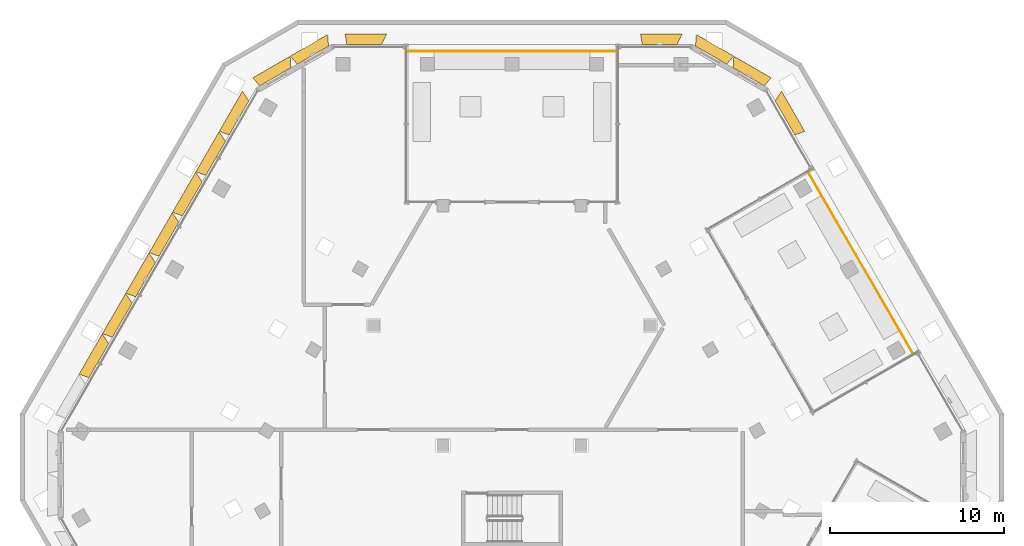
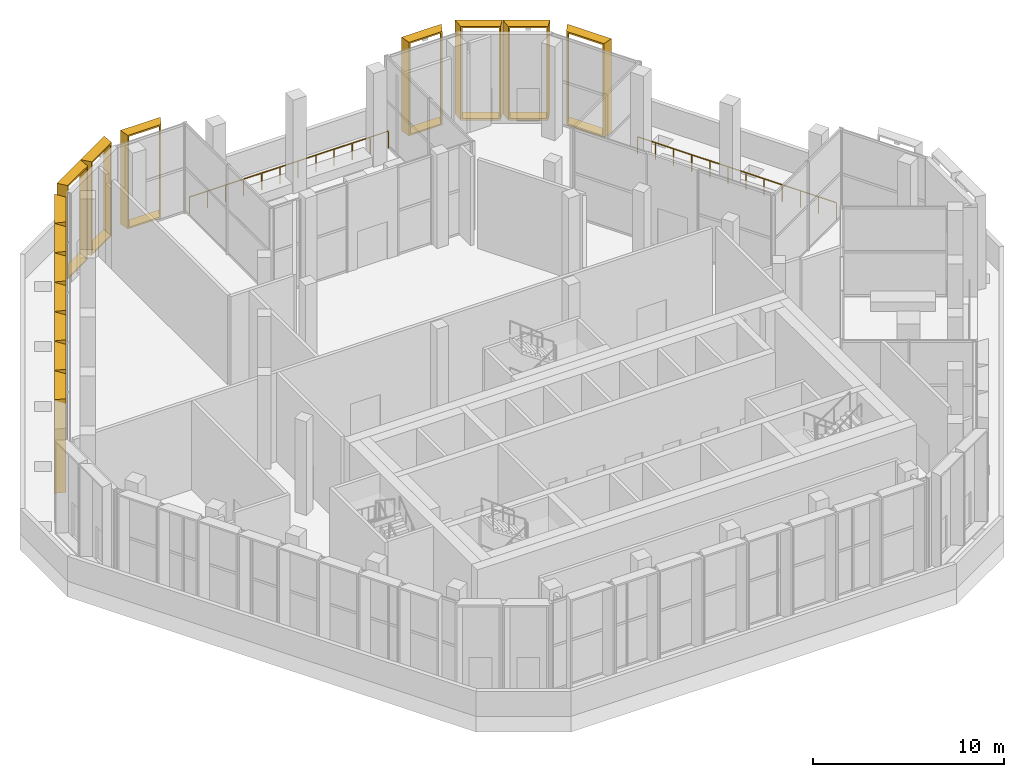
# One storey, part 22 of 23: 14 shading devices, 2 railings.
"""IFC4 building model written with IfcOpenShell, lengths in metres."""

from ifc_helpers import new_model, entity, si_unit, direction, frame, origin, origin_2d, place, context, subcontext, project, spatial, rectangle, extrude, source, transform, mapped, material, type_object, type_shapes, element, save


model = new_model("IFC4")

# Units and contexts
model_context = context("Model", 3, precision=1e-05, world=origin(), true_north=direction((0.0, 1.0)))
body_context = subcontext(model_context, "Body", "Model", "MODEL_VIEW")
ifc_project = project(units=[si_unit("LENGTHUNIT", "METRE"), si_unit("AREAUNIT", "SQUARE_METRE"), si_unit("VOLUMEUNIT", "CUBIC_METRE"), si_unit("PLANEANGLEUNIT", "RADIAN"), si_unit("MASSUNIT", "GRAM", prefix="KILO")], contexts=[model_context])

# Site, building, storey
site_placement = place(None, origin())
site = spatial("IfcSite", under=ifc_project, at=site_placement, CompositionType="ELEMENT")
building_placement = place(site_placement, origin())
building = spatial("IfcBuilding", under=site, at=building_placement, Name="Beryl Residences", CompositionType="ELEMENT")
storey_placement = place(building_placement, frame((0.0, 0.0, 157.199951171875)))
storey = spatial("IfcBuildingStorey", under=building, at=storey_placement, Name="L48", CompositionType="ELEMENT", Elevation=157.199951171875)

# Shading devices
ifc_material_1 = material(Name="Aluminium pale anodised", Category="aluminium")
shading_device_type_1 = type_object("IfcShadingDeviceType", Name="FR243-60B-H60 OUTER SKIN frame 600 mm deep, splay 26/10 deg, 2430 x 6000 mm cell", PredefinedType="USERDEFINED", material=ifc_material_1)
cartesian_point_1 = entity("IfcCartesianPoint", [-1.005615234375, 0.0])
cartesian_point_2 = entity("IfcCartesianPoint", [-0.91650390625, 0.10009765625])
cartesian_point_3 = entity("IfcCartesianPoint", [-1.298095703125, 0.0])
cartesian_point_4 = entity("IfcCartesianPoint", [-1.209228515625, 0.10009765625])
shared_shape_1 = source(origin(), body_context, "Body", "SweptSolid", [
    entity("IfcExtrudedAreaSolidTapered", entity("IfcArbitraryProfileDefWithVoids", "AREA", None, entity("IfcPolyline", [cartesian_point_1, entity("IfcCartesianPoint", [1.005615234375, 0.0]), entity("IfcCartesianPoint", [1.005615234375, 6.0]), entity("IfcCartesianPoint", [-1.005615234375, 6.0]), cartesian_point_1]), [entity("IfcPolyline", [cartesian_point_2, entity("IfcCartesianPoint", [0.92431640625, 0.10009765625]), entity("IfcCartesianPoint", [0.92431640625, 5.89990234375]), entity("IfcCartesianPoint", [-0.91650390625, 5.89990234375]), cartesian_point_2])]), entity("IfcAxis2Placement3D", entity("IfcCartesianPoint", [0.0, 0.0, 0.0]), entity("IfcDirection", [0.0, 1.0, 0.0]), entity("IfcDirection", [-1.0, 0.0, 0.0])), entity("IfcDirection", [0.0, 0.0, 1.0]), 0.60009765625, entity("IfcArbitraryProfileDefWithVoids", "AREA", None, entity("IfcPolyline", [cartesian_point_3, entity("IfcCartesianPoint", [1.111328125, 0.0]), entity("IfcCartesianPoint", [1.111328125, 6.0]), entity("IfcCartesianPoint", [-1.298095703125, 6.0]), cartesian_point_3]), [entity("IfcPolyline", [cartesian_point_4, entity("IfcCartesianPoint", [1.030029296875, 0.10009765625]), entity("IfcCartesianPoint", [1.030029296875, 5.89990234375]), entity("IfcCartesianPoint", [-1.209228515625, 5.89990234375]), cartesian_point_4])])),
])
type_shapes(shading_device_type_1, [shared_shape_1])
for number, where, z_axis, x_axis, name in (
    (1, (8.511962890625, 24.199951171875, 0.0), (0.0, 0.0, 1.0), (1.0, 0.0, 0.0), "FR243-60B-H60 frame L48 N 1"),
    (2, (-8.511962890625, 24.199951171875, 0.0), (0.0, 0.0, 1.0), (1.0, 0.0, 0.0), "FR243-60B-H60 frame L48 N 8"),
):
    element("IfcShadingDevice", number, at=place(storey_placement, frame(where, z_axis=z_axis, x_axis=x_axis)), inside=storey, type_object=shading_device_type_1, Name=name, ObjectType="OUTER SKIN", PredefinedType="USERDEFINED", context=body_context, shape_type="MappedRepresentation", body=[
        mapped(shared_shape_1, transform((0.0, 0.0, 0.0))),
    ])
ifc_material_2 = material(Name="Aluminium pale anodised", Category="aluminium")
shading_device_type_2 = type_object("IfcShadingDeviceType", Name="FR250-60B-H60 OUTER SKIN frame 600 mm deep, splay 26/10 deg, 2500 x 6000 mm cell", PredefinedType="USERDEFINED", material=ifc_material_2)
cartesian_point_5 = entity("IfcCartesianPoint", [-1.04052734375, 0.0])
cartesian_point_6 = entity("IfcCartesianPoint", [-0.951416015625, 0.10009765625])
cartesian_point_7 = entity("IfcCartesianPoint", [-1.333251953125, 0.0])
cartesian_point_8 = entity("IfcCartesianPoint", [-1.244140625, 0.10009765625])
shared_shape_2 = source(origin(), body_context, "Body", "SweptSolid", [
    entity("IfcExtrudedAreaSolidTapered", entity("IfcArbitraryProfileDefWithVoids", "AREA", None, entity("IfcPolyline", [cartesian_point_5, entity("IfcCartesianPoint", [1.04052734375, 0.0]), entity("IfcCartesianPoint", [1.04052734375, 6.0]), entity("IfcCartesianPoint", [-1.04052734375, 6.0]), cartesian_point_5]), [entity("IfcPolyline", [cartesian_point_6, entity("IfcCartesianPoint", [0.959228515625, 0.10009765625]), entity("IfcCartesianPoint", [0.959228515625, 5.89990234375]), entity("IfcCartesianPoint", [-0.951416015625, 5.89990234375]), cartesian_point_6])]), entity("IfcAxis2Placement3D", entity("IfcCartesianPoint", [0.0, 0.0, 0.0]), entity("IfcDirection", [0.0, 1.0, 0.0]), entity("IfcDirection", [-1.0, 0.0, 0.0])), entity("IfcDirection", [0.0, 0.0, 1.0]), 0.60009765625, entity("IfcArbitraryProfileDefWithVoids", "AREA", None, entity("IfcPolyline", [cartesian_point_7, entity("IfcCartesianPoint", [1.146240234375, 0.0]), entity("IfcCartesianPoint", [1.146240234375, 6.0]), entity("IfcCartesianPoint", [-1.333251953125, 6.0]), cartesian_point_7]), [entity("IfcPolyline", [cartesian_point_8, entity("IfcCartesianPoint", [1.06494140625, 0.10009765625]), entity("IfcCartesianPoint", [1.06494140625, 5.89990234375]), entity("IfcCartesianPoint", [-1.244140625, 5.89990234375]), cartesian_point_8])])),
])
type_shapes(shading_device_type_2, [shared_shape_2])
for number, where, z_axis, x_axis, name in (
    (3, (-11.47412109375, 23.574951171875, 0.0), (0.0, 0.0, 1.0), (0.866025403784, 0.5, 0.0), "FR250-60B-H60 frame L48 N-NW 1"),
    (4, (-13.638916015625, 22.324951171875, 0.0), (0.0, 0.0, 1.0), (0.866025403784, 0.5, 0.0), "FR250-60B-H60 frame L48 N-NW 2"),
):
    element("IfcShadingDevice", number, at=place(storey_placement, frame(where, z_axis=z_axis, x_axis=x_axis)), inside=storey, type_object=shading_device_type_2, Name=name, ObjectType="OUTER SKIN", PredefinedType="USERDEFINED", context=body_context, shape_type="MappedRepresentation", body=[
        mapped(shared_shape_2, transform((0.0, 0.0, 0.0))),
    ])
ifc_material_3 = material(Name="Aluminium pale anodised", Category="aluminium")
shading_device_type_3 = type_object("IfcShadingDeviceType", Name="FR250-60C-H60 OUTER SKIN frame 600 mm deep, splay 10/26 deg, 2500 x 6000 mm cell", PredefinedType="USERDEFINED", material=ifc_material_3)
cartesian_point_9 = entity("IfcCartesianPoint", [-1.04052734375, 0.0])
cartesian_point_10 = entity("IfcCartesianPoint", [-0.959228515625, 0.10009765625])
cartesian_point_11 = entity("IfcCartesianPoint", [-1.146240234375, 0.0])
cartesian_point_12 = entity("IfcCartesianPoint", [-1.06494140625, 0.10009765625])
shared_shape_3 = source(origin(), body_context, "Body", "SweptSolid", [
    entity("IfcExtrudedAreaSolidTapered", entity("IfcArbitraryProfileDefWithVoids", "AREA", None, entity("IfcPolyline", [cartesian_point_9, entity("IfcCartesianPoint", [1.04052734375, 0.0]), entity("IfcCartesianPoint", [1.04052734375, 6.0]), entity("IfcCartesianPoint", [-1.04052734375, 6.0]), cartesian_point_9]), [entity("IfcPolyline", [cartesian_point_10, entity("IfcCartesianPoint", [0.951416015625, 0.10009765625]), entity("IfcCartesianPoint", [0.951416015625, 5.89990234375]), entity("IfcCartesianPoint", [-0.959228515625, 5.89990234375]), cartesian_point_10])]), entity("IfcAxis2Placement3D", entity("IfcCartesianPoint", [0.0, 0.0, 0.0]), entity("IfcDirection", [0.0, 1.0, 0.0]), entity("IfcDirection", [-1.0, 0.0, 0.0])), entity("IfcDirection", [0.0, 0.0, 1.0]), 0.60009765625, entity("IfcArbitraryProfileDefWithVoids", "AREA", None, entity("IfcPolyline", [cartesian_point_11, entity("IfcCartesianPoint", [1.333251953125, 0.0]), entity("IfcCartesianPoint", [1.333251953125, 6.0]), entity("IfcCartesianPoint", [-1.146240234375, 6.0]), cartesian_point_11]), [entity("IfcPolyline", [cartesian_point_12, entity("IfcCartesianPoint", [1.244140625, 0.10009765625]), entity("IfcCartesianPoint", [1.244140625, 5.89990234375]), entity("IfcCartesianPoint", [-1.06494140625, 5.89990234375]), cartesian_point_12])])),
])
type_shapes(shading_device_type_3, [shared_shape_3])
for number, where, z_axis, x_axis, name in (
    (5, (13.638916015625, 22.324951171875, 0.0), (0.0, 0.0, 1.0), (0.866025403784, -0.5, 0.0), "FR250-60C-H60 frame L48 NE-N 1"),
    (6, (11.47412109375, 23.574951171875, 0.0), (0.0, 0.0, 1.0), (0.866025403784, -0.5, 0.0), "FR250-60C-H60 frame L48 NE-N 2"),
):
    element("IfcShadingDevice", number, at=place(storey_placement, frame(where, z_axis=z_axis, x_axis=x_axis)), inside=storey, type_object=shading_device_type_3, Name=name, ObjectType="OUTER SKIN", PredefinedType="USERDEFINED", context=body_context, shape_type="MappedRepresentation", body=[
        mapped(shared_shape_3, transform((0.0, 0.0, 0.0))),
    ])
ifc_material_4 = material(Name="Aluminium pale anodised", Category="aluminium")
shading_device_type_4 = type_object("IfcShadingDeviceType", Name="FR269-60B-H60 OUTER SKIN frame 600 mm deep, splay 26/10 deg, 2690 x 6000 mm cell", PredefinedType="USERDEFINED", material=ifc_material_4)
cartesian_point_13 = entity("IfcCartesianPoint", [-1.135498046875, 0.0])
cartesian_point_14 = entity("IfcCartesianPoint", [-1.04638671875, 0.10009765625])
cartesian_point_15 = entity("IfcCartesianPoint", [-1.42822265625, 0.0])
cartesian_point_16 = entity("IfcCartesianPoint", [-1.339111328125, 0.10009765625])
shared_shape_4 = source(origin(), body_context, "Body", "SweptSolid", [
    entity("IfcExtrudedAreaSolidTapered", entity("IfcArbitraryProfileDefWithVoids", "AREA", None, entity("IfcPolyline", [cartesian_point_13, entity("IfcCartesianPoint", [1.135498046875, 0.0]), entity("IfcCartesianPoint", [1.135498046875, 6.0]), entity("IfcCartesianPoint", [-1.135498046875, 6.0]), cartesian_point_13]), [entity("IfcPolyline", [cartesian_point_14, entity("IfcCartesianPoint", [1.05419921875, 0.10009765625]), entity("IfcCartesianPoint", [1.05419921875, 5.89990234375]), entity("IfcCartesianPoint", [-1.04638671875, 5.89990234375]), cartesian_point_14])]), entity("IfcAxis2Placement3D", entity("IfcCartesianPoint", [0.0, 0.0, 0.0]), entity("IfcDirection", [0.0, 1.0, 0.0]), entity("IfcDirection", [-1.0, 0.0, 0.0])), entity("IfcDirection", [0.0, 0.0, 1.0]), 0.60009765625, entity("IfcArbitraryProfileDefWithVoids", "AREA", None, entity("IfcPolyline", [cartesian_point_15, entity("IfcCartesianPoint", [1.2412109375, 0.0]), entity("IfcCartesianPoint", [1.2412109375, 6.0]), entity("IfcCartesianPoint", [-1.42822265625, 6.0]), cartesian_point_15]), [entity("IfcPolyline", [cartesian_point_16, entity("IfcCartesianPoint", [1.16015625, 0.10009765625]), entity("IfcCartesianPoint", [1.16015625, 5.89990234375]), entity("IfcCartesianPoint", [-1.339111328125, 5.89990234375]), cartesian_point_16])])),
])
type_shapes(shading_device_type_4, [shared_shape_4])
for number, where, z_axis, x_axis, name in (
    (7, (-15.72705078125, 19.9599609375, 0.0), (0.0, 0.0, 1.0), (0.5, 0.866025403784, 0.0), "FR269-60B-H60 frame L48 NW 1"),
    (8, (-17.072998046875, 17.6279296875, 0.0), (0.0, 0.0, 1.0), (0.5, 0.866025403784, 0.0), "FR269-60B-H60 frame L48 NW 2"),
    (9, (-18.4189453125, 15.297119140625, 0.0), (0.0, 0.0, 1.0), (0.5, 0.866025403784, 0.0), "FR269-60B-H60 frame L48 NW 3"),
    (10, (-19.764892578125, 12.966064453125, 0.0), (0.0, 0.0, 1.0), (0.5, 0.866025403784, 0.0), "FR269-60B-H60 frame L48 NW 4"),
    (11, (-21.111083984375, 10.634033203125, 0.0), (0.0, 0.0, 1.0), (0.5, 0.866025403784, 0.0), "FR269-60B-H60 frame L48 NW 5"),
    (12, (-22.45703125, 8.302978515625, 0.0), (0.0, 0.0, 1.0), (0.5, 0.866025403784, 0.0), "FR269-60B-H60 frame L48 NW 6"),
    (13, (-23.802978515625, 5.971923828125, 0.0), (0.0, 0.0, 1.0), (0.5, 0.866025403784, 0.0), "FR269-60B-H60 frame L48 NW 7"),
):
    element("IfcShadingDevice", number, at=place(storey_placement, frame(where, z_axis=z_axis, x_axis=x_axis)), inside=storey, type_object=shading_device_type_4, Name=name, ObjectType="OUTER SKIN", PredefinedType="USERDEFINED", context=body_context, shape_type="MappedRepresentation", body=[
        mapped(shared_shape_4, transform((0.0, 0.0, 0.0))),
    ])
ifc_material_5 = material(Name="Aluminium pale anodised", Category="aluminium")
shading_device_type_5 = type_object("IfcShadingDeviceType", Name="FR269-60C-H60 OUTER SKIN frame 600 mm deep, splay 10/26 deg, 2690 x 6000 mm cell", PredefinedType="USERDEFINED", material=ifc_material_5)
cartesian_point_17 = entity("IfcCartesianPoint", [-1.135498046875, 0.0])
cartesian_point_18 = entity("IfcCartesianPoint", [-1.05419921875, 0.10009765625])
cartesian_point_19 = entity("IfcCartesianPoint", [-1.2412109375, 0.0])
cartesian_point_20 = entity("IfcCartesianPoint", [-1.16015625, 0.10009765625])
shared_shape_5 = source(origin(), body_context, "Body", "SweptSolid", [
    entity("IfcExtrudedAreaSolidTapered", entity("IfcArbitraryProfileDefWithVoids", "AREA", None, entity("IfcPolyline", [cartesian_point_17, entity("IfcCartesianPoint", [1.135498046875, 0.0]), entity("IfcCartesianPoint", [1.135498046875, 6.0]), entity("IfcCartesianPoint", [-1.135498046875, 6.0]), cartesian_point_17]), [entity("IfcPolyline", [cartesian_point_18, entity("IfcCartesianPoint", [1.04638671875, 0.10009765625]), entity("IfcCartesianPoint", [1.04638671875, 5.89990234375]), entity("IfcCartesianPoint", [-1.05419921875, 5.89990234375]), cartesian_point_18])]), entity("IfcAxis2Placement3D", entity("IfcCartesianPoint", [0.0, 0.0, 0.0]), entity("IfcDirection", [0.0, 1.0, 0.0]), entity("IfcDirection", [-1.0, 0.0, 0.0])), entity("IfcDirection", [0.0, 0.0, 1.0]), 0.60009765625, entity("IfcArbitraryProfileDefWithVoids", "AREA", None, entity("IfcPolyline", [cartesian_point_19, entity("IfcCartesianPoint", [1.42822265625, 0.0]), entity("IfcCartesianPoint", [1.42822265625, 6.0]), entity("IfcCartesianPoint", [-1.2412109375, 6.0]), cartesian_point_19]), [entity("IfcPolyline", [cartesian_point_20, entity("IfcCartesianPoint", [1.339111328125, 0.10009765625]), entity("IfcCartesianPoint", [1.339111328125, 5.89990234375]), entity("IfcCartesianPoint", [-1.16015625, 5.89990234375]), cartesian_point_20])])),
])
type_shapes(shading_device_type_5, [shared_shape_5])
shading_device_placement = place(storey_placement, frame((15.72705078125, 19.9599609375, 0.0), z_axis=(0.0, 0.0, 1.0), x_axis=(0.5, -0.866025403784, 0.0)))
element("IfcShadingDevice", 14, at=shading_device_placement, inside=storey, type_object=shading_device_type_5, Name="FR269-60C-H60 frame L48 NE 8", ObjectType="OUTER SKIN", PredefinedType="USERDEFINED", context=body_context, shape_type="MappedRepresentation", body=[
    mapped(shared_shape_5, transform((0.0, 0.0, 0.0))),
])

# Railings
ifc_material_6 = material(Name="Stainless steel and clear glass", Category="steel")
railing_type = type_object("IfcRailingType", Name="XG1 guard 1100 mm", PredefinedType="GUARDRAIL", material=ifc_material_6)
railing_1_placement = place(storey_placement, frame((6.02490234375, 23.800048828125, 0.0)))
element("IfcRailing", 15, at=railing_1_placement, inside=storey, type_object=railing_type, Name="XG1 guard L48 N garden edge", PredefinedType="GUARDRAIL", context=body_context, shape_type="SweptSolid", body=[
    extrude(rectangle(XDim=0.048095703125, YDim=0.048095703125, at=origin_2d()), frame((0.0, 0.0, 1.076171875), z_axis=(-1.0, 0.0, 0.0), x_axis=(0.0, -1.0, 0.0)), (0.0, 0.0, 1.0), 12.0498046875),
    extrude(rectangle(XDim=0.0419921875, YDim=0.0419921875, at=origin_2d()), origin(), (0.0, 0.0, 1.0), 1.052001953125),
    extrude(rectangle(XDim=0.0419921875, YDim=0.0419921875, at=origin_2d()), frame((-1.095458984375, 0.0, 0.0)), (0.0, 0.0, 1.0), 1.052001953125),
    extrude(rectangle(XDim=0.0419921875, YDim=0.0419921875, at=origin_2d()), frame((-2.19091796875, 0.0, 0.0)), (0.0, 0.0, 1.0), 1.052001953125),
    extrude(rectangle(XDim=0.0419921875, YDim=0.0419921875, at=origin_2d()), frame((-3.286376953125, 0.0, 0.0)), (0.0, 0.0, 1.0), 1.052001953125),
    extrude(rectangle(XDim=0.0419921875, YDim=0.0419921875, at=origin_2d()), frame((-4.3818359375, 0.0, 0.0)), (0.0, 0.0, 1.0), 1.052001953125),
    extrude(rectangle(XDim=0.0419921875, YDim=0.0419921875, at=origin_2d()), frame((-5.477294921875, 0.0, 0.0)), (0.0, 0.0, 1.0), 1.052001953125),
    extrude(rectangle(XDim=0.0419921875, YDim=0.0419921875, at=origin_2d()), frame((-6.572509765625, 0.0, 0.0)), (0.0, 0.0, 1.0), 1.052001953125),
    extrude(rectangle(XDim=0.0419921875, YDim=0.0419921875, at=origin_2d()), frame((-7.66796875, 0.0, 0.0)), (0.0, 0.0, 1.0), 1.052001953125),
    extrude(rectangle(XDim=0.0419921875, YDim=0.0419921875, at=origin_2d()), frame((-8.763427734375, 0.0, 0.0)), (0.0, 0.0, 1.0), 1.052001953125),
    extrude(rectangle(XDim=0.0419921875, YDim=0.0419921875, at=origin_2d()), frame((-9.85888671875, 0.0, 0.0)), (0.0, 0.0, 1.0), 1.052001953125),
    extrude(rectangle(XDim=0.0419921875, YDim=0.0419921875, at=origin_2d()), frame((-10.954345703125, 0.0, 0.0)), (0.0, 0.0, 1.0), 1.052001953125),
    extrude(rectangle(XDim=0.0419921875, YDim=0.0419921875, at=origin_2d()), frame((-12.0498046875, 0.0, 0.0)), (0.0, 0.0, 1.0), 1.052001953125),
])
railing_2_placement = place(storey_placement, frame((23.10400390625, 6.382080078125, 0.0)))
element("IfcRailing", 16, at=railing_2_placement, inside=storey, type_object=railing_type, Name="XG1 guard L48 NE garden edge", PredefinedType="GUARDRAIL", context=body_context, shape_type="SweptSolid", body=[
    extrude(rectangle(XDim=0.048095703125, YDim=0.048095703125, at=origin_2d()), frame((0.0, 0.0, 1.076171875), z_axis=(-0.4999785048, 0.866037813688, 0.0), x_axis=(-0.866037813688, -0.4999785048, 0.0)), (0.0, 0.0, 1.0), 12.05029296875),
    extrude(rectangle(XDim=0.0419921875, YDim=0.0419921875, at=origin_2d()), origin(), (0.0, 0.0, 1.0), 1.052001953125),
    extrude(rectangle(XDim=0.0419921875, YDim=0.0419921875, at=origin_2d()), frame((-0.547607421875, 0.94873046875, 0.0)), (0.0, 0.0, 1.0), 1.052001953125),
    extrude(rectangle(XDim=0.0419921875, YDim=0.0419921875, at=origin_2d()), frame((-1.095458984375, 1.8974609375, 0.0)), (0.0, 0.0, 1.0), 1.052001953125),
    extrude(rectangle(XDim=0.0419921875, YDim=0.0419921875, at=origin_2d()), frame((-1.64306640625, 2.84619140625, 0.0)), (0.0, 0.0, 1.0), 1.052001953125),
    extrude(rectangle(XDim=0.0419921875, YDim=0.0419921875, at=origin_2d()), frame((-2.19091796875, 3.794921875, 0.0)), (0.0, 0.0, 1.0), 1.052001953125),
    extrude(rectangle(XDim=0.0419921875, YDim=0.0419921875, at=origin_2d()), frame((-2.738525390625, 4.74365234375, 0.0)), (0.0, 0.0, 1.0), 1.052001953125),
    extrude(rectangle(XDim=0.0419921875, YDim=0.0419921875, at=origin_2d()), frame((-3.286376953125, 5.6923828125, 0.0)), (0.0, 0.0, 1.0), 1.052001953125),
    extrude(rectangle(XDim=0.0419921875, YDim=0.0419921875, at=origin_2d()), frame((-3.833984375, 6.64111328125, 0.0)), (0.0, 0.0, 1.0), 1.052001953125),
    extrude(rectangle(XDim=0.0419921875, YDim=0.0419921875, at=origin_2d()), frame((-4.3818359375, 7.58984375, 0.0)), (0.0, 0.0, 1.0), 1.052001953125),
    extrude(rectangle(XDim=0.0419921875, YDim=0.0419921875, at=origin_2d()), frame((-4.929443359375, 8.53857421875, 0.0)), (0.0, 0.0, 1.0), 1.052001953125),
    extrude(rectangle(XDim=0.0419921875, YDim=0.0419921875, at=origin_2d()), frame((-5.477294921875, 9.4873046875, 0.0)), (0.0, 0.0, 1.0), 1.052001953125),
    extrude(rectangle(XDim=0.0419921875, YDim=0.0419921875, at=origin_2d()), frame((-6.02490234375, 10.43603515625, 0.0)), (0.0, 0.0, 1.0), 1.052001953125),
])

save(model, "model.ifc")
